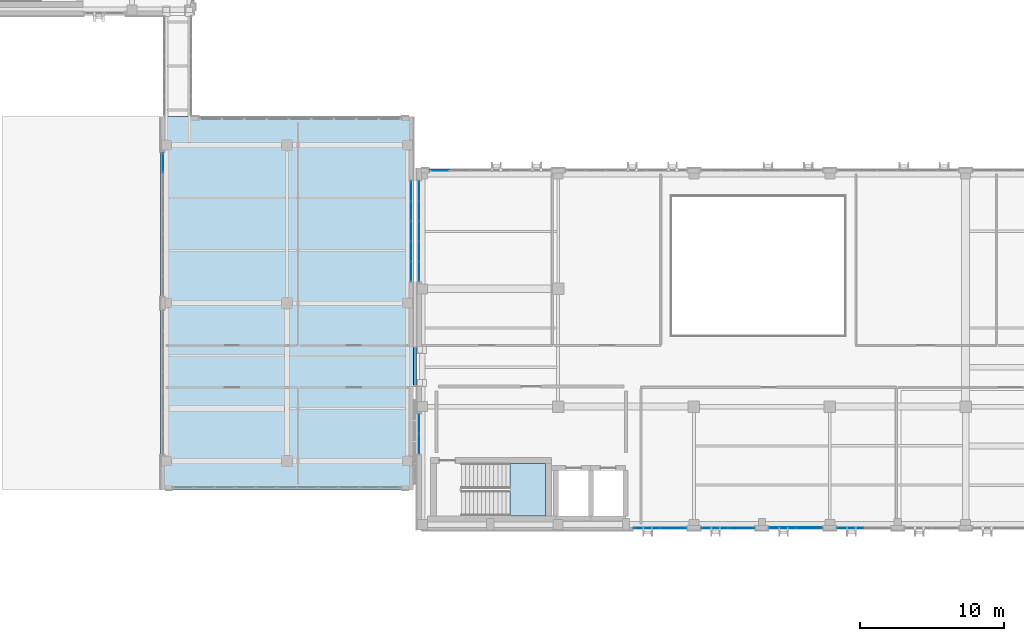
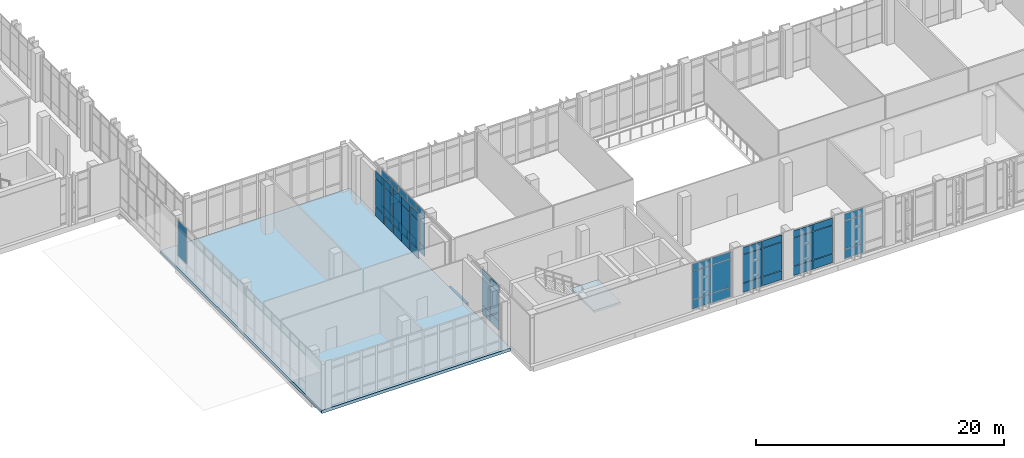
# One storey, part 130 of 189: 60 plates, 3 slabs, 10 elements without a shape of their own.
"""IFC4 building model written with IfcOpenShell, lengths in metres."""

from ifc_helpers import new_model, si_unit, direction, frame, origin, origin_2d, place, context, subcontext, project, spatial, polyline, rectangle, outline, extrude, material, layer, layer_set, type_object, element, aggregate, save


model = new_model("IFC4")

# Units and contexts
model_context = context("Model", 3, precision=1e-05, world=origin(), true_north=direction((0.0, 1.0)))
body_context = subcontext(model_context, "Body", "Model", "MODEL_VIEW")
ifc_project = project(units=[si_unit("LENGTHUNIT", "METRE"), si_unit("AREAUNIT", "SQUARE_METRE"), si_unit("VOLUMEUNIT", "CUBIC_METRE"), si_unit("PLANEANGLEUNIT", "RADIAN"), si_unit("MASSUNIT", "GRAM", prefix="KILO")], contexts=[model_context])

# Site, building, storey
site_placement = place(None, origin())
site = spatial("IfcSite", under=ifc_project, at=site_placement, CompositionType="ELEMENT")
building_placement = place(site_placement, origin())
building = spatial("IfcBuilding", under=site, at=building_placement, Name="Qalavern Law Courts", CompositionType="ELEMENT")
storey_placement = place(building_placement, frame((0.0, 0.0, 5.39990234375)))
storey = spatial("IfcBuildingStorey", under=building, at=storey_placement, Name="L01", CompositionType="ELEMENT", Elevation=5.39990234375)

# Curtain wall, plates
ifc_material_1 = material(Name="Anodised aluminium and insulated glazing", Category="aluminium")
ifc_layer_1 = layer(ifc_material_1, 0.18505859375)
ifc_layer_set_1 = layer_set([ifc_layer_1], Name="Anodised aluminium and insulated glazing")
curtain_wall_type_1 = type_object("IfcCurtainWallType", Name="ENV-CW-HALL", PredefinedType="USERDEFINED", material=ifc_layer_set_1)
curtain_wall_1_placement = place(storey_placement, origin())
curtain_wall_1 = element("IfcCurtainWall", 1, at=curtain_wall_1_placement, inside=storey, type_object=curtain_wall_type_1, Name="V2 unitised curtain wall L01 south 4", ObjectType="UNITISED CURTAIN WALL", PredefinedType="USERDEFINED")
ifc_material_2 = material(Name="Insulated low-E acoustic glazing", Category="glass")
ifc_layer_2 = layer(ifc_material_2, 0.02392578125)
ifc_layer_set_2 = layer_set([ifc_layer_2], Name="Insulated low-E acoustic glazing")
plate_type_1 = type_object("IfcPlateType", Name="ENV-CWP-24", PredefinedType="CURTAIN_PANEL", material=ifc_layer_set_2)
plate_1_placement = place(storey_placement, frame((64.4267578125, 5.362548828125, 0.048095703125), z_axis=(0.0, 0.0, 1.0), x_axis=(1.0, 0.0, 0.0)))
plate_1 = element("IfcPlate", 2, at=plate_1_placement, type_object=plate_type_1, Name="CW-02 panel 1.1", PredefinedType="CURTAIN_PANEL", context=body_context, shape_type="SweptSolid", body=[
    extrude(rectangle(XDim=1.79150390625, YDim=0.02392578125, at=origin_2d()), origin(), (0.0, 0.0, 1.0), 0.8779296875),
])
plate_2_placement = place(storey_placement, frame((64.4267578125, 5.362548828125, 0.97412109375), z_axis=(0.0, 0.0, 1.0), x_axis=(1.0, 0.0, 0.0)))
plate_2 = element("IfcPlate", 3, at=plate_2_placement, type_object=plate_type_1, Name="CW-02 panel 1.2", PredefinedType="CURTAIN_PANEL", context=body_context, shape_type="SweptSolid", body=[
    extrude(rectangle(XDim=1.79150390625, YDim=0.02392578125, at=origin_2d()), origin(), (0.0, 0.0, 1.0), 2.761962890625),
])
plate_3_placement = place(storey_placement, frame((64.4267578125, 5.362548828125, 3.7841796875), z_axis=(0.0, 0.0, 1.0), x_axis=(1.0, 0.0, 0.0)))
plate_3 = element("IfcPlate", 4, at=plate_3_placement, type_object=plate_type_1, Name="CW-02 panel 1.3", PredefinedType="CURTAIN_PANEL", context=body_context, shape_type="SweptSolid", body=[
    extrude(rectangle(XDim=1.79150390625, YDim=0.02392578125, at=origin_2d()), origin(), (0.0, 0.0, 1.0), 0.677978515625),
])
aggregate(curtain_wall_1, [plate_1, plate_2, plate_3])

# Curtain wall, plate
curtain_wall_2_placement = place(storey_placement, origin())
curtain_wall_2 = element("IfcCurtainWall", 5, at=curtain_wall_2_placement, inside=storey, type_object=curtain_wall_type_1, Name="V2 unitised curtain wall L01 north 6", ObjectType="UNITISED CURTAIN WALL", PredefinedType="USERDEFINED")
ifc_layer_3 = layer(ifc_material_2, 0.035888671875)
ifc_layer_set_3 = layer_set([ifc_layer_3], Name="Insulated low-E acoustic glazing")
plate_type_2 = type_object("IfcPlateType", Name="ENV-CWP-36", PredefinedType="CURTAIN_PANEL", material=ifc_layer_set_3)
plate_4_placement = place(storey_placement, frame((35.83642578125, 30.237548828125, 0.048095703125), z_axis=(0.0, 0.0, 1.0), x_axis=(-1.0, 0.0, 0.0)))
plate_4 = element("IfcPlate", 6, at=plate_4_placement, type_object=plate_type_2, Name="CW-02 panel 6.1", PredefinedType="CURTAIN_PANEL", context=body_context, shape_type="SweptSolid", body=[
    extrude(rectangle(XDim=1.337158203125, YDim=0.035888671875, at=origin_2d()), origin(), (0.0, 0.0, 1.0), 0.8779296875),
])
aggregate(curtain_wall_2, [plate_4])

# Curtain wall, plates
ifc_layer_4 = layer(ifc_material_1, 0.199951171875)
ifc_layer_set_4 = layer_set([ifc_layer_4], Name="Anodised aluminium and insulated glazing")
curtain_wall_type_2 = type_object("IfcCurtainWallType", Name="ENV-CW-FOYER", PredefinedType="USERDEFINED", material=ifc_layer_set_4)
curtain_wall_3_placement = place(storey_placement, origin())
curtain_wall_3 = element("IfcCurtainWall", 7, at=curtain_wall_3_placement, inside=storey, type_object=curtain_wall_type_2, Name="V1 unitised curtain wall L01 west 1", ObjectType="UNITISED CURTAIN WALL", PredefinedType="USERDEFINED")
ifc_layer_5 = layer(ifc_material_2, 0.0439453125)
ifc_layer_set_5 = layer_set([ifc_layer_5], Name="Insulated low-E acoustic glazing")
plate_type_3 = type_object("IfcPlateType", Name="ENV-CWP-44", PredefinedType="CURTAIN_PANEL", material=ifc_layer_set_5)
plate_5_placement = place(storey_placement, frame((16.5625, 30.773681640625, 0.97412109375), z_axis=(0.0, 0.0, 1.0), x_axis=(0.0, -1.0, 0.0)))
plate_5 = element("IfcPlate", 8, at=plate_5_placement, type_object=plate_type_3, Name="CW-01 panel 1.2", PredefinedType="CURTAIN_PANEL", context=body_context, shape_type="SweptSolid", body=[
    extrude(rectangle(XDim=1.356689453125, YDim=0.0439453125, at=origin_2d()), origin(), (0.0, 0.0, 1.0), 2.761962890625),
])
plate_6_placement = place(storey_placement, frame((16.5625, 30.773681640625, 3.7841796875), z_axis=(0.0, 0.0, 1.0), x_axis=(0.0, -1.0, 0.0)))
plate_6 = element("IfcPlate", 9, at=plate_6_placement, type_object=plate_type_3, Name="CW-01 panel 1.3", PredefinedType="CURTAIN_PANEL", context=body_context, shape_type="SweptSolid", body=[
    extrude(rectangle(XDim=1.356689453125, YDim=0.0439453125, at=origin_2d()), origin(), (0.0, 0.0, 1.0), 0.677978515625),
])
aggregate(curtain_wall_3, [plate_5, plate_6])

curtain_wall_4_placement = place(storey_placement, origin())
curtain_wall_4 = element("IfcCurtainWall", 10, at=curtain_wall_4_placement, inside=storey, type_object=curtain_wall_type_1, Name="V2 unitised curtain wall L01 south 1", ObjectType="UNITISED CURTAIN WALL", PredefinedType="USERDEFINED")
plate_7_placement = place(storey_placement, frame((50.244873046875, 5.362548828125, 0.048095703125), z_axis=(0.0, 0.0, 1.0), x_axis=(1.0, 0.0, 0.0)))
plate_7 = element("IfcPlate", 11, at=plate_7_placement, type_object=plate_type_3, Name="CW-02 panel 1.1", PredefinedType="CURTAIN_PANEL", context=body_context, shape_type="SweptSolid", body=[
    extrude(rectangle(XDim=1.791748046875, YDim=0.0439453125, at=origin_2d()), origin(), (0.0, 0.0, 1.0), 0.8779296875),
])
plate_8_placement = place(storey_placement, frame((50.244873046875, 5.362548828125, 0.97412109375), z_axis=(0.0, 0.0, 1.0), x_axis=(1.0, 0.0, 0.0)))
plate_8 = element("IfcPlate", 12, at=plate_8_placement, type_object=plate_type_3, Name="CW-02 panel 1.2", PredefinedType="CURTAIN_PANEL", context=body_context, shape_type="SweptSolid", body=[
    extrude(rectangle(XDim=1.791748046875, YDim=0.0439453125, at=origin_2d()), origin(), (0.0, 0.0, 1.0), 2.761962890625),
])
plate_9_placement = place(storey_placement, frame((50.244873046875, 5.362548828125, 3.7841796875), z_axis=(0.0, 0.0, 1.0), x_axis=(1.0, 0.0, 0.0)))
plate_9 = element("IfcPlate", 13, at=plate_9_placement, type_object=plate_type_3, Name="CW-02 panel 1.3", PredefinedType="CURTAIN_PANEL", context=body_context, shape_type="SweptSolid", body=[
    extrude(rectangle(XDim=1.791748046875, YDim=0.0439453125, at=origin_2d()), origin(), (0.0, 0.0, 1.0), 0.677978515625),
])
plate_10_placement = place(storey_placement, frame((52.084716796875, 5.362548828125, 0.048095703125), z_axis=(0.0, 0.0, 1.0), x_axis=(1.0, 0.0, 0.0)))
plate_10 = element("IfcPlate", 14, at=plate_10_placement, type_object=plate_type_3, Name="CW-02 panel 2.1", PredefinedType="CURTAIN_PANEL", context=body_context, shape_type="SweptSolid", body=[
    extrude(rectangle(XDim=1.791748046875, YDim=0.0439453125, at=origin_2d()), origin(), (0.0, 0.0, 1.0), 0.8779296875),
])
plate_11_placement = place(storey_placement, frame((52.084716796875, 5.362548828125, 0.97412109375), z_axis=(0.0, 0.0, 1.0), x_axis=(1.0, 0.0, 0.0)))
plate_11 = element("IfcPlate", 15, at=plate_11_placement, type_object=plate_type_3, Name="CW-02 panel 2.2", PredefinedType="CURTAIN_PANEL", context=body_context, shape_type="SweptSolid", body=[
    extrude(rectangle(XDim=1.791748046875, YDim=0.0439453125, at=origin_2d()), origin(), (0.0, 0.0, 1.0), 2.761962890625),
])
plate_12_placement = place(storey_placement, frame((52.084716796875, 5.362548828125, 3.7841796875), z_axis=(0.0, 0.0, 1.0), x_axis=(1.0, 0.0, 0.0)))
plate_12 = element("IfcPlate", 16, at=plate_12_placement, type_object=plate_type_3, Name="CW-02 panel 2.3", PredefinedType="CURTAIN_PANEL", context=body_context, shape_type="SweptSolid", body=[
    extrude(rectangle(XDim=1.791748046875, YDim=0.0439453125, at=origin_2d()), origin(), (0.0, 0.0, 1.0), 0.677978515625),
])
aggregate(curtain_wall_4, [plate_7, plate_8, plate_9, plate_10, plate_11, plate_12])

curtain_wall_5_placement = place(storey_placement, origin())
curtain_wall_5 = element("IfcCurtainWall", 17, at=curtain_wall_5_placement, inside=storey, type_object=curtain_wall_type_1, Name="V2 unitised curtain wall L01 west 1", ObjectType="UNITISED CURTAIN WALL", PredefinedType="USERDEFINED")
plate_13_placement = place(storey_placement, frame((34.382568359375, 28.7880859375, 0.048095703125), z_axis=(0.0, 0.0, 1.0), x_axis=(0.0, -1.0, 0.0)))
plate_13 = element("IfcPlate", 18, at=plate_13_placement, type_object=plate_type_3, Name="CW-02 panel 1.1", PredefinedType="CURTAIN_PANEL", context=body_context, shape_type="SweptSolid", body=[
    extrude(rectangle(XDim=1.327880859375, YDim=0.0439453125, at=origin_2d()), origin(), (0.0, 0.0, 1.0), 0.8779296875),
])
plate_14_placement = place(storey_placement, frame((34.382568359375, 28.7880859375, 0.97412109375), z_axis=(0.0, 0.0, 1.0), x_axis=(0.0, -1.0, 0.0)))
plate_14 = element("IfcPlate", 19, at=plate_14_placement, type_object=plate_type_3, Name="CW-02 panel 1.2", PredefinedType="CURTAIN_PANEL", context=body_context, shape_type="SweptSolid", body=[
    extrude(rectangle(XDim=1.327880859375, YDim=0.0439453125, at=origin_2d()), origin(), (0.0, 0.0, 1.0), 2.761962890625),
])
plate_15_placement = place(storey_placement, frame((34.382568359375, 28.7880859375, 3.7841796875), z_axis=(0.0, 0.0, 1.0), x_axis=(0.0, -1.0, 0.0)))
plate_15 = element("IfcPlate", 20, at=plate_15_placement, type_object=plate_type_3, Name="CW-02 panel 1.3", PredefinedType="CURTAIN_PANEL", context=body_context, shape_type="SweptSolid", body=[
    extrude(rectangle(XDim=1.327880859375, YDim=0.0439453125, at=origin_2d()), origin(), (0.0, 0.0, 1.0), 0.677978515625),
])
plate_16_placement = place(storey_placement, frame((34.382568359375, 27.39990234375, 0.048095703125), z_axis=(0.0, 0.0, 1.0), x_axis=(0.0, -1.0, 0.0)))
plate_16 = element("IfcPlate", 21, at=plate_16_placement, type_object=plate_type_3, Name="CW-02 panel 2.1", PredefinedType="CURTAIN_PANEL", context=body_context, shape_type="SweptSolid", body=[
    extrude(rectangle(XDim=1.35205078125, YDim=0.0439453125, at=origin_2d()), origin(), (0.0, 0.0, 1.0), 0.8779296875),
])
plate_17_placement = place(storey_placement, frame((34.382568359375, 27.39990234375, 0.97412109375), z_axis=(0.0, 0.0, 1.0), x_axis=(0.0, -1.0, 0.0)))
plate_17 = element("IfcPlate", 22, at=plate_17_placement, type_object=plate_type_3, Name="CW-02 panel 2.2", PredefinedType="CURTAIN_PANEL", context=body_context, shape_type="SweptSolid", body=[
    extrude(rectangle(XDim=1.35205078125, YDim=0.0439453125, at=origin_2d()), origin(), (0.0, 0.0, 1.0), 2.761962890625),
])
plate_18_placement = place(storey_placement, frame((34.382568359375, 27.39990234375, 3.7841796875), z_axis=(0.0, 0.0, 1.0), x_axis=(0.0, -1.0, 0.0)))
plate_18 = element("IfcPlate", 23, at=plate_18_placement, type_object=plate_type_3, Name="CW-02 panel 2.3", PredefinedType="CURTAIN_PANEL", context=body_context, shape_type="SweptSolid", body=[
    extrude(rectangle(XDim=1.35205078125, YDim=0.0439453125, at=origin_2d()), origin(), (0.0, 0.0, 1.0), 0.677978515625),
])
plate_19_placement = place(storey_placement, frame((34.382568359375, 26.0, 0.048095703125), z_axis=(0.0, 0.0, 1.0), x_axis=(0.0, -1.0, 0.0)))
plate_19 = element("IfcPlate", 24, at=plate_19_placement, type_object=plate_type_3, Name="CW-02 panel 3.1", PredefinedType="CURTAIN_PANEL", context=body_context, shape_type="SweptSolid", body=[
    extrude(rectangle(XDim=1.35205078125, YDim=0.0439453125, at=origin_2d()), origin(), (0.0, 0.0, 1.0), 0.8779296875),
])
plate_20_placement = place(storey_placement, frame((34.382568359375, 26.0, 0.97412109375), z_axis=(0.0, 0.0, 1.0), x_axis=(0.0, -1.0, 0.0)))
plate_20 = element("IfcPlate", 25, at=plate_20_placement, type_object=plate_type_3, Name="CW-02 panel 3.2", PredefinedType="CURTAIN_PANEL", context=body_context, shape_type="SweptSolid", body=[
    extrude(rectangle(XDim=1.35205078125, YDim=0.0439453125, at=origin_2d()), origin(), (0.0, 0.0, 1.0), 2.761962890625),
])
plate_21_placement = place(storey_placement, frame((34.382568359375, 26.0, 3.7841796875), z_axis=(0.0, 0.0, 1.0), x_axis=(0.0, -1.0, 0.0)))
plate_21 = element("IfcPlate", 26, at=plate_21_placement, type_object=plate_type_3, Name="CW-02 panel 3.3", PredefinedType="CURTAIN_PANEL", context=body_context, shape_type="SweptSolid", body=[
    extrude(rectangle(XDim=1.35205078125, YDim=0.0439453125, at=origin_2d()), origin(), (0.0, 0.0, 1.0), 0.677978515625),
])
plate_22_placement = place(storey_placement, frame((34.382568359375, 24.60009765625, 0.048095703125), z_axis=(0.0, 0.0, 1.0), x_axis=(0.0, -1.0, 0.0)))
plate_22 = element("IfcPlate", 27, at=plate_22_placement, type_object=plate_type_3, Name="CW-02 panel 4.1", PredefinedType="CURTAIN_PANEL", context=body_context, shape_type="SweptSolid", body=[
    extrude(rectangle(XDim=1.35205078125, YDim=0.0439453125, at=origin_2d()), origin(), (0.0, 0.0, 1.0), 0.8779296875),
])
plate_23_placement = place(storey_placement, frame((34.382568359375, 24.60009765625, 0.97412109375), z_axis=(0.0, 0.0, 1.0), x_axis=(0.0, -1.0, 0.0)))
plate_23 = element("IfcPlate", 28, at=plate_23_placement, type_object=plate_type_3, Name="CW-02 panel 4.2", PredefinedType="CURTAIN_PANEL", context=body_context, shape_type="SweptSolid", body=[
    extrude(rectangle(XDim=1.35205078125, YDim=0.0439453125, at=origin_2d()), origin(), (0.0, 0.0, 1.0), 2.761962890625),
])
plate_24_placement = place(storey_placement, frame((34.382568359375, 24.60009765625, 3.7841796875), z_axis=(0.0, 0.0, 1.0), x_axis=(0.0, -1.0, 0.0)))
plate_24 = element("IfcPlate", 29, at=plate_24_placement, type_object=plate_type_3, Name="CW-02 panel 4.3", PredefinedType="CURTAIN_PANEL", context=body_context, shape_type="SweptSolid", body=[
    extrude(rectangle(XDim=1.35205078125, YDim=0.0439453125, at=origin_2d()), origin(), (0.0, 0.0, 1.0), 0.677978515625),
])
plate_25_placement = place(storey_placement, frame((34.382568359375, 23.2119140625, 0.048095703125), z_axis=(0.0, 0.0, 1.0), x_axis=(0.0, -1.0, 0.0)))
plate_25 = element("IfcPlate", 30, at=plate_25_placement, type_object=plate_type_3, Name="CW-02 panel 5.1", PredefinedType="CURTAIN_PANEL", context=body_context, shape_type="SweptSolid", body=[
    extrude(rectangle(XDim=1.327880859375, YDim=0.0439453125, at=origin_2d()), origin(), (0.0, 0.0, 1.0), 0.8779296875),
])
plate_26_placement = place(storey_placement, frame((34.382568359375, 23.2119140625, 0.97412109375), z_axis=(0.0, 0.0, 1.0), x_axis=(0.0, -1.0, 0.0)))
plate_26 = element("IfcPlate", 31, at=plate_26_placement, type_object=plate_type_3, Name="CW-02 panel 5.2", PredefinedType="CURTAIN_PANEL", context=body_context, shape_type="SweptSolid", body=[
    extrude(rectangle(XDim=1.327880859375, YDim=0.0439453125, at=origin_2d()), origin(), (0.0, 0.0, 1.0), 2.761962890625),
])
plate_27_placement = place(storey_placement, frame((34.382568359375, 23.2119140625, 3.7841796875), z_axis=(0.0, 0.0, 1.0), x_axis=(0.0, -1.0, 0.0)))
plate_27 = element("IfcPlate", 32, at=plate_27_placement, type_object=plate_type_3, Name="CW-02 panel 5.3", PredefinedType="CURTAIN_PANEL", context=body_context, shape_type="SweptSolid", body=[
    extrude(rectangle(XDim=1.327880859375, YDim=0.0439453125, at=origin_2d()), origin(), (0.0, 0.0, 1.0), 0.677978515625),
])
aggregate(curtain_wall_5, [plate_13, plate_14, plate_15, plate_16, plate_17, plate_18, plate_19, plate_20, plate_21, plate_22, plate_23, plate_24, plate_25, plate_26, plate_27])

curtain_wall_6_placement = place(storey_placement, origin())
curtain_wall_6 = element("IfcCurtainWall", 33, at=curtain_wall_6_placement, inside=storey, type_object=curtain_wall_type_2, Name="V1 unitised curtain wall L01 east 1", ObjectType="UNITISED CURTAIN WALL", PredefinedType="USERDEFINED")
ifc_layer_6 = layer(ifc_material_2, 0.048095703125)
ifc_layer_set_6 = layer_set([ifc_layer_6], Name="Insulated low-E acoustic glazing")
plate_type_4 = type_object("IfcPlateType", Name="ENV-CWP-48", PredefinedType="CURTAIN_PANEL", material=ifc_layer_set_6)
plate_28_placement = place(storey_placement, frame((33.83740234375, 23.2119140625, 0.048095703125), z_axis=(0.0, 0.0, 1.0), x_axis=(0.0, 1.0, 0.0)))
plate_28 = element("IfcPlate", 34, at=plate_28_placement, type_object=plate_type_4, Name="CW-01 panel 1.1", PredefinedType="CURTAIN_PANEL", context=body_context, shape_type="SweptSolid", body=[
    extrude(rectangle(XDim=1.327880859375, YDim=0.048095703125, at=origin_2d()), origin(), (0.0, 0.0, 1.0), 0.8779296875),
])
plate_29_placement = place(storey_placement, frame((33.83740234375, 23.2119140625, 0.97412109375), z_axis=(0.0, 0.0, 1.0), x_axis=(0.0, 1.0, 0.0)))
plate_29 = element("IfcPlate", 35, at=plate_29_placement, type_object=plate_type_4, Name="CW-01 panel 1.2", PredefinedType="CURTAIN_PANEL", context=body_context, shape_type="SweptSolid", body=[
    extrude(rectangle(XDim=1.327880859375, YDim=0.048095703125, at=origin_2d()), origin(), (0.0, 0.0, 1.0), 2.761962890625),
])
plate_30_placement = place(storey_placement, frame((33.83740234375, 23.2119140625, 3.7841796875), z_axis=(0.0, 0.0, 1.0), x_axis=(0.0, 1.0, 0.0)))
plate_30 = element("IfcPlate", 36, at=plate_30_placement, type_object=plate_type_4, Name="CW-01 panel 1.3", PredefinedType="CURTAIN_PANEL", context=body_context, shape_type="SweptSolid", body=[
    extrude(rectangle(XDim=1.327880859375, YDim=0.048095703125, at=origin_2d()), origin(), (0.0, 0.0, 1.0), 0.677978515625),
])
plate_31_placement = place(storey_placement, frame((33.83740234375, 24.60009765625, 0.048095703125), z_axis=(0.0, 0.0, 1.0), x_axis=(0.0, 1.0, 0.0)))
plate_31 = element("IfcPlate", 37, at=plate_31_placement, type_object=plate_type_4, Name="CW-01 panel 2.1", PredefinedType="CURTAIN_PANEL", context=body_context, shape_type="SweptSolid", body=[
    extrude(rectangle(XDim=1.35205078125, YDim=0.048095703125, at=origin_2d()), origin(), (0.0, 0.0, 1.0), 0.8779296875),
])
plate_32_placement = place(storey_placement, frame((33.83740234375, 24.60009765625, 0.97412109375), z_axis=(0.0, 0.0, 1.0), x_axis=(0.0, 1.0, 0.0)))
plate_32 = element("IfcPlate", 38, at=plate_32_placement, type_object=plate_type_4, Name="CW-01 panel 2.2", PredefinedType="CURTAIN_PANEL", context=body_context, shape_type="SweptSolid", body=[
    extrude(rectangle(XDim=1.35205078125, YDim=0.048095703125, at=origin_2d()), origin(), (0.0, 0.0, 1.0), 2.761962890625),
])
plate_33_placement = place(storey_placement, frame((33.83740234375, 24.60009765625, 3.7841796875), z_axis=(0.0, 0.0, 1.0), x_axis=(0.0, 1.0, 0.0)))
plate_33 = element("IfcPlate", 39, at=plate_33_placement, type_object=plate_type_4, Name="CW-01 panel 2.3", PredefinedType="CURTAIN_PANEL", context=body_context, shape_type="SweptSolid", body=[
    extrude(rectangle(XDim=1.35205078125, YDim=0.048095703125, at=origin_2d()), origin(), (0.0, 0.0, 1.0), 0.677978515625),
])
plate_34_placement = place(storey_placement, frame((33.83740234375, 26.0, 0.048095703125), z_axis=(0.0, 0.0, 1.0), x_axis=(0.0, 1.0, 0.0)))
plate_34 = element("IfcPlate", 40, at=plate_34_placement, type_object=plate_type_4, Name="CW-01 panel 3.1", PredefinedType="CURTAIN_PANEL", context=body_context, shape_type="SweptSolid", body=[
    extrude(rectangle(XDim=1.35205078125, YDim=0.048095703125, at=origin_2d()), origin(), (0.0, 0.0, 1.0), 0.8779296875),
])
plate_35_placement = place(storey_placement, frame((33.83740234375, 26.0, 0.97412109375), z_axis=(0.0, 0.0, 1.0), x_axis=(0.0, 1.0, 0.0)))
plate_35 = element("IfcPlate", 41, at=plate_35_placement, type_object=plate_type_4, Name="CW-01 panel 3.2", PredefinedType="CURTAIN_PANEL", context=body_context, shape_type="SweptSolid", body=[
    extrude(rectangle(XDim=1.35205078125, YDim=0.048095703125, at=origin_2d()), origin(), (0.0, 0.0, 1.0), 2.761962890625),
])
plate_36_placement = place(storey_placement, frame((33.83740234375, 26.0, 3.7841796875), z_axis=(0.0, 0.0, 1.0), x_axis=(0.0, 1.0, 0.0)))
plate_36 = element("IfcPlate", 42, at=plate_36_placement, type_object=plate_type_4, Name="CW-01 panel 3.3", PredefinedType="CURTAIN_PANEL", context=body_context, shape_type="SweptSolid", body=[
    extrude(rectangle(XDim=1.35205078125, YDim=0.048095703125, at=origin_2d()), origin(), (0.0, 0.0, 1.0), 0.677978515625),
])
plate_37_placement = place(storey_placement, frame((33.83740234375, 27.39990234375, 0.048095703125), z_axis=(0.0, 0.0, 1.0), x_axis=(0.0, 1.0, 0.0)))
plate_37 = element("IfcPlate", 43, at=plate_37_placement, type_object=plate_type_4, Name="CW-01 panel 4.1", PredefinedType="CURTAIN_PANEL", context=body_context, shape_type="SweptSolid", body=[
    extrude(rectangle(XDim=1.35205078125, YDim=0.048095703125, at=origin_2d()), origin(), (0.0, 0.0, 1.0), 0.8779296875),
])
plate_38_placement = place(storey_placement, frame((33.83740234375, 27.39990234375, 0.97412109375), z_axis=(0.0, 0.0, 1.0), x_axis=(0.0, 1.0, 0.0)))
plate_38 = element("IfcPlate", 44, at=plate_38_placement, type_object=plate_type_4, Name="CW-01 panel 4.2", PredefinedType="CURTAIN_PANEL", context=body_context, shape_type="SweptSolid", body=[
    extrude(rectangle(XDim=1.35205078125, YDim=0.048095703125, at=origin_2d()), origin(), (0.0, 0.0, 1.0), 2.761962890625),
])
plate_39_placement = place(storey_placement, frame((33.83740234375, 27.39990234375, 3.7841796875), z_axis=(0.0, 0.0, 1.0), x_axis=(0.0, 1.0, 0.0)))
plate_39 = element("IfcPlate", 45, at=plate_39_placement, type_object=plate_type_4, Name="CW-01 panel 4.3", PredefinedType="CURTAIN_PANEL", context=body_context, shape_type="SweptSolid", body=[
    extrude(rectangle(XDim=1.35205078125, YDim=0.048095703125, at=origin_2d()), origin(), (0.0, 0.0, 1.0), 0.677978515625),
])
plate_40_placement = place(storey_placement, frame((33.83740234375, 28.7880859375, 0.048095703125), z_axis=(0.0, 0.0, 1.0), x_axis=(0.0, 1.0, 0.0)))
plate_40 = element("IfcPlate", 46, at=plate_40_placement, type_object=plate_type_4, Name="CW-01 panel 5.1", PredefinedType="CURTAIN_PANEL", context=body_context, shape_type="SweptSolid", body=[
    extrude(rectangle(XDim=1.327880859375, YDim=0.048095703125, at=origin_2d()), origin(), (0.0, 0.0, 1.0), 0.8779296875),
])
plate_41_placement = place(storey_placement, frame((33.83740234375, 28.7880859375, 0.97412109375), z_axis=(0.0, 0.0, 1.0), x_axis=(0.0, 1.0, 0.0)))
plate_41 = element("IfcPlate", 47, at=plate_41_placement, type_object=plate_type_4, Name="CW-01 panel 5.2", PredefinedType="CURTAIN_PANEL", context=body_context, shape_type="SweptSolid", body=[
    extrude(rectangle(XDim=1.327880859375, YDim=0.048095703125, at=origin_2d()), origin(), (0.0, 0.0, 1.0), 2.761962890625),
])
plate_42_placement = place(storey_placement, frame((33.83740234375, 28.7880859375, 3.7841796875), z_axis=(0.0, 0.0, 1.0), x_axis=(0.0, 1.0, 0.0)))
plate_42 = element("IfcPlate", 48, at=plate_42_placement, type_object=plate_type_4, Name="CW-01 panel 5.3", PredefinedType="CURTAIN_PANEL", context=body_context, shape_type="SweptSolid", body=[
    extrude(rectangle(XDim=1.327880859375, YDim=0.048095703125, at=origin_2d()), origin(), (0.0, 0.0, 1.0), 0.677978515625),
])
aggregate(curtain_wall_6, [plate_28, plate_29, plate_30, plate_31, plate_32, plate_33, plate_34, plate_35, plate_36, plate_37, plate_38, plate_39, plate_40, plate_41, plate_42])

curtain_wall_7_placement = place(storey_placement, origin())
curtain_wall_7 = element("IfcCurtainWall", 49, at=curtain_wall_7_placement, inside=storey, type_object=curtain_wall_type_1, Name="V2 unitised curtain wall L01 south 2", ObjectType="UNITISED CURTAIN WALL", PredefinedType="USERDEFINED")
plate_43_placement = place(storey_placement, frame((54.972412109375, 5.362548828125, 0.048095703125), z_axis=(0.0, 0.0, 1.0), x_axis=(1.0, 0.0, 0.0)))
plate_43 = element("IfcPlate", 50, at=plate_43_placement, type_object=plate_type_4, Name="CW-02 panel 1.1", PredefinedType="CURTAIN_PANEL", context=body_context, shape_type="SweptSolid", body=[
    extrude(rectangle(XDim=1.791748046875, YDim=0.048095703125, at=origin_2d()), origin(), (0.0, 0.0, 1.0), 0.8779296875),
])
plate_44_placement = place(storey_placement, frame((54.972412109375, 5.362548828125, 0.97412109375), z_axis=(0.0, 0.0, 1.0), x_axis=(1.0, 0.0, 0.0)))
plate_44 = element("IfcPlate", 51, at=plate_44_placement, type_object=plate_type_4, Name="CW-02 panel 1.2", PredefinedType="CURTAIN_PANEL", context=body_context, shape_type="SweptSolid", body=[
    extrude(rectangle(XDim=1.791748046875, YDim=0.048095703125, at=origin_2d()), origin(), (0.0, 0.0, 1.0), 2.761962890625),
])
plate_45_placement = place(storey_placement, frame((54.972412109375, 5.362548828125, 3.7841796875), z_axis=(0.0, 0.0, 1.0), x_axis=(1.0, 0.0, 0.0)))
plate_45 = element("IfcPlate", 52, at=plate_45_placement, type_object=plate_type_4, Name="CW-02 panel 1.3", PredefinedType="CURTAIN_PANEL", context=body_context, shape_type="SweptSolid", body=[
    extrude(rectangle(XDim=1.791748046875, YDim=0.048095703125, at=origin_2d()), origin(), (0.0, 0.0, 1.0), 0.677978515625),
])
plate_46_placement = place(storey_placement, frame((56.812255859375, 5.362548828125, 0.048095703125), z_axis=(0.0, 0.0, 1.0), x_axis=(1.0, 0.0, 0.0)))
plate_46 = element("IfcPlate", 53, at=plate_46_placement, type_object=plate_type_4, Name="CW-02 panel 2.1", PredefinedType="CURTAIN_PANEL", context=body_context, shape_type="SweptSolid", body=[
    extrude(rectangle(XDim=1.791748046875, YDim=0.048095703125, at=origin_2d()), origin(), (0.0, 0.0, 1.0), 0.8779296875),
])
plate_47_placement = place(storey_placement, frame((56.812255859375, 5.362548828125, 0.97412109375), z_axis=(0.0, 0.0, 1.0), x_axis=(1.0, 0.0, 0.0)))
plate_47 = element("IfcPlate", 54, at=plate_47_placement, type_object=plate_type_4, Name="CW-02 panel 2.2", PredefinedType="CURTAIN_PANEL", context=body_context, shape_type="SweptSolid", body=[
    extrude(rectangle(XDim=1.791748046875, YDim=0.048095703125, at=origin_2d()), origin(), (0.0, 0.0, 1.0), 2.761962890625),
])
plate_48_placement = place(storey_placement, frame((56.812255859375, 5.362548828125, 3.7841796875), z_axis=(0.0, 0.0, 1.0), x_axis=(1.0, 0.0, 0.0)))
plate_48 = element("IfcPlate", 55, at=plate_48_placement, type_object=plate_type_4, Name="CW-02 panel 2.3", PredefinedType="CURTAIN_PANEL", context=body_context, shape_type="SweptSolid", body=[
    extrude(rectangle(XDim=1.791748046875, YDim=0.048095703125, at=origin_2d()), origin(), (0.0, 0.0, 1.0), 0.677978515625),
])
aggregate(curtain_wall_7, [plate_43, plate_44, plate_45, plate_46, plate_47, plate_48])

curtain_wall_8_placement = place(storey_placement, origin())
curtain_wall_8 = element("IfcCurtainWall", 56, at=curtain_wall_8_placement, inside=storey, type_object=curtain_wall_type_1, Name="V2 unitised curtain wall L01 west 1", ObjectType="UNITISED CURTAIN WALL", PredefinedType="USERDEFINED")
plate_49_placement = place(storey_placement, frame((34.382568359375, 12.587890625, 0.048095703125), z_axis=(0.0, 0.0, 1.0), x_axis=(0.0, -1.0, 0.0)))
plate_49 = element("IfcPlate", 57, at=plate_49_placement, type_object=plate_type_4, Name="CW-02 panel 1.1", PredefinedType="CURTAIN_PANEL", context=body_context, shape_type="SweptSolid", body=[
    extrude(rectangle(XDim=1.327880859375, YDim=0.048095703125, at=origin_2d()), origin(), (0.0, 0.0, 1.0), 0.8779296875),
])
plate_50_placement = place(storey_placement, frame((34.382568359375, 12.587890625, 0.97412109375), z_axis=(0.0, 0.0, 1.0), x_axis=(0.0, -1.0, 0.0)))
plate_50 = element("IfcPlate", 58, at=plate_50_placement, type_object=plate_type_4, Name="CW-02 panel 1.2", PredefinedType="CURTAIN_PANEL", context=body_context, shape_type="SweptSolid", body=[
    extrude(rectangle(XDim=1.327880859375, YDim=0.048095703125, at=origin_2d()), origin(), (0.0, 0.0, 1.0), 2.761962890625),
])
plate_51_placement = place(storey_placement, frame((34.382568359375, 12.587890625, 3.7841796875), z_axis=(0.0, 0.0, 1.0), x_axis=(0.0, -1.0, 0.0)))
plate_51 = element("IfcPlate", 59, at=plate_51_placement, type_object=plate_type_4, Name="CW-02 panel 1.3", PredefinedType="CURTAIN_PANEL", context=body_context, shape_type="SweptSolid", body=[
    extrude(rectangle(XDim=1.327880859375, YDim=0.048095703125, at=origin_2d()), origin(), (0.0, 0.0, 1.0), 0.677978515625),
])
plate_52_placement = place(storey_placement, frame((34.382568359375, 11.2119140625, 0.048095703125), z_axis=(0.0, 0.0, 1.0), x_axis=(0.0, -1.0, 0.0)))
plate_52 = element("IfcPlate", 60, at=plate_52_placement, type_object=plate_type_4, Name="CW-02 panel 2.1", PredefinedType="CURTAIN_PANEL", context=body_context, shape_type="SweptSolid", body=[
    extrude(rectangle(XDim=1.327880859375, YDim=0.048095703125, at=origin_2d()), origin(), (0.0, 0.0, 1.0), 0.8779296875),
])
plate_53_placement = place(storey_placement, frame((34.382568359375, 11.2119140625, 0.97412109375), z_axis=(0.0, 0.0, 1.0), x_axis=(0.0, -1.0, 0.0)))
plate_53 = element("IfcPlate", 61, at=plate_53_placement, type_object=plate_type_4, Name="CW-02 panel 2.2", PredefinedType="CURTAIN_PANEL", context=body_context, shape_type="SweptSolid", body=[
    extrude(rectangle(XDim=1.327880859375, YDim=0.048095703125, at=origin_2d()), origin(), (0.0, 0.0, 1.0), 2.761962890625),
])
plate_54_placement = place(storey_placement, frame((34.382568359375, 11.2119140625, 3.7841796875), z_axis=(0.0, 0.0, 1.0), x_axis=(0.0, -1.0, 0.0)))
plate_54 = element("IfcPlate", 62, at=plate_54_placement, type_object=plate_type_4, Name="CW-02 panel 2.3", PredefinedType="CURTAIN_PANEL", context=body_context, shape_type="SweptSolid", body=[
    extrude(rectangle(XDim=1.327880859375, YDim=0.048095703125, at=origin_2d()), origin(), (0.0, 0.0, 1.0), 0.677978515625),
])
aggregate(curtain_wall_8, [plate_49, plate_50, plate_51, plate_52, plate_53, plate_54])

curtain_wall_9_placement = place(storey_placement, origin())
curtain_wall_9 = element("IfcCurtainWall", 63, at=curtain_wall_9_placement, inside=storey, type_object=curtain_wall_type_1, Name="V2 unitised curtain wall L01 south 3", ObjectType="UNITISED CURTAIN WALL", PredefinedType="USERDEFINED")
ifc_layer_7 = layer(ifc_material_2, 0.052001953125)
ifc_layer_set_7 = layer_set([ifc_layer_7], Name="Insulated low-E acoustic glazing")
plate_type_5 = type_object("IfcPlateType", Name="ENV-CWP-52", PredefinedType="CURTAIN_PANEL", material=ifc_layer_set_7)
plate_55_placement = place(storey_placement, frame((59.69970703125, 5.362548828125, 0.048095703125), z_axis=(0.0, 0.0, 1.0), x_axis=(1.0, 0.0, 0.0)))
plate_55 = element("IfcPlate", 64, at=plate_55_placement, type_object=plate_type_5, Name="CW-02 panel 1.1", PredefinedType="CURTAIN_PANEL", context=body_context, shape_type="SweptSolid", body=[
    extrude(rectangle(XDim=1.79150390625, YDim=0.052001953125, at=origin_2d()), origin(), (0.0, 0.0, 1.0), 0.8779296875),
])
plate_56_placement = place(storey_placement, frame((59.69970703125, 5.362548828125, 0.97412109375), z_axis=(0.0, 0.0, 1.0), x_axis=(1.0, 0.0, 0.0)))
plate_56 = element("IfcPlate", 65, at=plate_56_placement, type_object=plate_type_5, Name="CW-02 panel 1.2", PredefinedType="CURTAIN_PANEL", context=body_context, shape_type="SweptSolid", body=[
    extrude(rectangle(XDim=1.79150390625, YDim=0.052001953125, at=origin_2d()), origin(), (0.0, 0.0, 1.0), 2.761962890625),
])
plate_57_placement = place(storey_placement, frame((59.69970703125, 5.362548828125, 3.7841796875), z_axis=(0.0, 0.0, 1.0), x_axis=(1.0, 0.0, 0.0)))
plate_57 = element("IfcPlate", 66, at=plate_57_placement, type_object=plate_type_5, Name="CW-02 panel 1.3", PredefinedType="CURTAIN_PANEL", context=body_context, shape_type="SweptSolid", body=[
    extrude(rectangle(XDim=1.79150390625, YDim=0.052001953125, at=origin_2d()), origin(), (0.0, 0.0, 1.0), 0.677978515625),
])
plate_58_placement = place(storey_placement, frame((61.5390625, 5.362548828125, 0.048095703125), z_axis=(0.0, 0.0, 1.0), x_axis=(1.0, 0.0, 0.0)))
plate_58 = element("IfcPlate", 67, at=plate_58_placement, type_object=plate_type_5, Name="CW-02 panel 2.1", PredefinedType="CURTAIN_PANEL", context=body_context, shape_type="SweptSolid", body=[
    extrude(rectangle(XDim=1.79150390625, YDim=0.052001953125, at=origin_2d()), origin(), (0.0, 0.0, 1.0), 0.8779296875),
])
plate_59_placement = place(storey_placement, frame((61.5390625, 5.362548828125, 0.97412109375), z_axis=(0.0, 0.0, 1.0), x_axis=(1.0, 0.0, 0.0)))
plate_59 = element("IfcPlate", 68, at=plate_59_placement, type_object=plate_type_5, Name="CW-02 panel 2.2", PredefinedType="CURTAIN_PANEL", context=body_context, shape_type="SweptSolid", body=[
    extrude(rectangle(XDim=1.79150390625, YDim=0.052001953125, at=origin_2d()), origin(), (0.0, 0.0, 1.0), 2.761962890625),
])
plate_60_placement = place(storey_placement, frame((61.5390625, 5.362548828125, 3.7841796875), z_axis=(0.0, 0.0, 1.0), x_axis=(1.0, 0.0, 0.0)))
plate_60 = element("IfcPlate", 69, at=plate_60_placement, type_object=plate_type_5, Name="CW-02 panel 2.3", PredefinedType="CURTAIN_PANEL", context=body_context, shape_type="SweptSolid", body=[
    extrude(rectangle(XDim=1.79150390625, YDim=0.052001953125, at=origin_2d()), origin(), (0.0, 0.0, 1.0), 0.677978515625),
])
aggregate(curtain_wall_9, [plate_55, plate_56, plate_57, plate_58, plate_59, plate_60])

# Stair, slab
ifc_material_3 = material(Name="Concrete C35/45", Category="concrete")
stair_type = type_object("IfcStairType", Name="INT-STAIR-1750", PredefinedType="HALF_TURN_STAIR", material=ifc_material_3)
stair_placement = place(storey_placement, origin())
stair = element("IfcStair", 70, at=stair_placement, inside=storey, type_object=stair_type, Name="L01 ST-K4", PredefinedType="HALF_TURN_STAIR")
ifc_layer_8 = layer(ifc_material_3, 0.199951171875)
ifc_layer_set_8 = layer_set([ifc_layer_8], Name="Concrete C35/45")
slab_type_1 = type_object("IfcSlabType", Name="INT-LANDING-200", PredefinedType="LANDING", material=ifc_layer_set_8)
slab_1_placement = place(storey_placement, frame((0.0, 0.0, 2.2001953125)))
slab_1 = element("IfcSlab", 71, at=slab_1_placement, type_object=slab_type_1, Name="ST-K4 landing 1", PredefinedType="LANDING", context=body_context, shape_type="SweptSolid", body=[
    extrude(outline(polyline([(40.7099609375, 6.199951171875), (43.199951171875, 6.199951171875), (43.199951171875, 9.85009765625), (40.7099609375, 9.85009765625), (40.7099609375, 6.199951171875)])), origin(), (0.0, 0.0, 1.0), 0.199951171875),
])
aggregate(stair, [slab_1])

# Slabs
ifc_material_4 = material(Name="Concrete C40/50", Category="concrete")
ifc_layer_9 = layer(ifc_material_4, 0.300048828125)
ifc_layer_set_9 = layer_set([ifc_layer_9], Name="Concrete C40/50")
slab_type_2 = type_object("IfcSlabType", Name="STR-SLB-L01-300", PredefinedType="FLOOR", material=ifc_layer_set_9)
slab_2_placement = place(storey_placement, frame((0.0, 0.0, -0.2998046875)))
element("IfcSlab", 72, at=slab_2_placement, inside=storey, type_object=slab_type_2, Name="V1 floor slab L01", PredefinedType="FLOOR", context=body_context, shape_type="SweptSolid", body=[
    extrude(outline(polyline([(16.39990234375, 8.0), (34.0, 8.0), (34.0, 34.0), (16.39990234375, 34.0), (16.39990234375, 8.0)])), origin(), (0.0, 0.0, 1.0), 0.2998046875),
])
slab_3_placement = place(storey_placement, frame((0.0, 0.0, -0.2998046875)))
element("IfcSlab", 73, at=slab_3_placement, inside=storey, type_object=slab_type_2, Name="Bridge BR-V1-V2 deck slab L01", PredefinedType="FLOOR", context=body_context, shape_type="SweptSolid", body=[
    extrude(outline(polyline([(34.0, 15.199951171875), (34.219970703125, 15.199951171875), (34.219970703125, 18.0), (34.0, 18.0), (34.0, 15.199951171875)])), origin(), (0.0, 0.0, 1.0), 0.2998046875),
])

save(model, "model.ifc")
